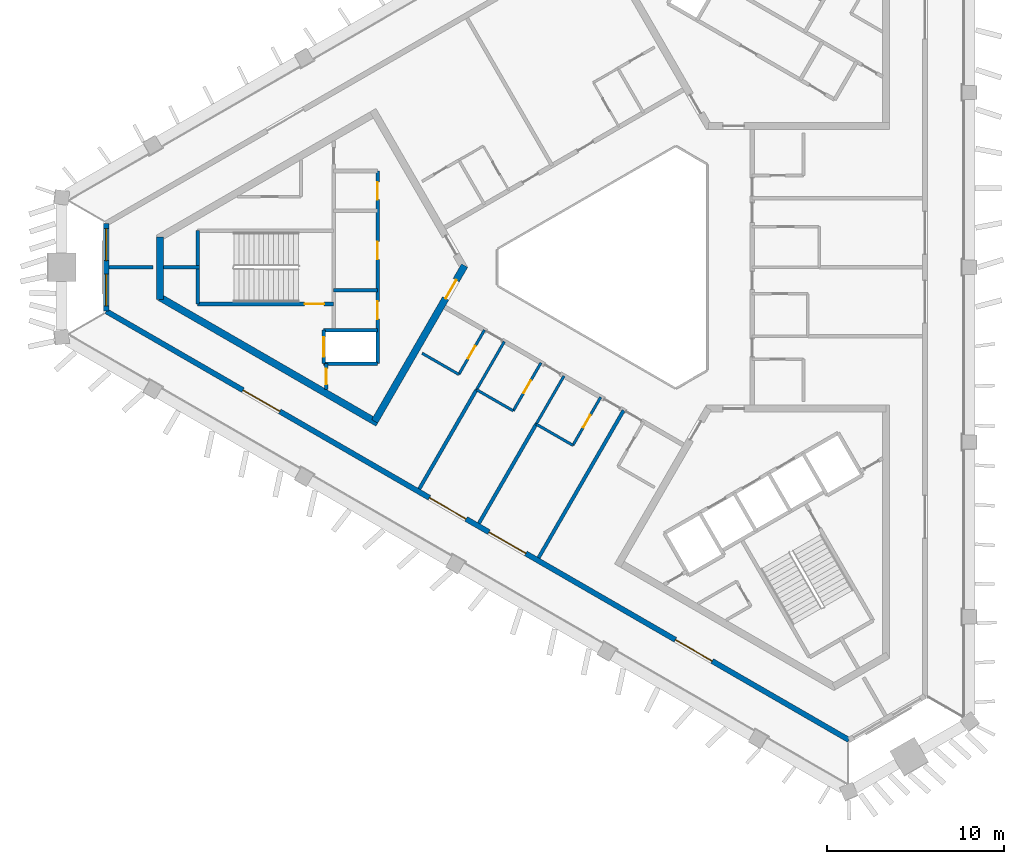
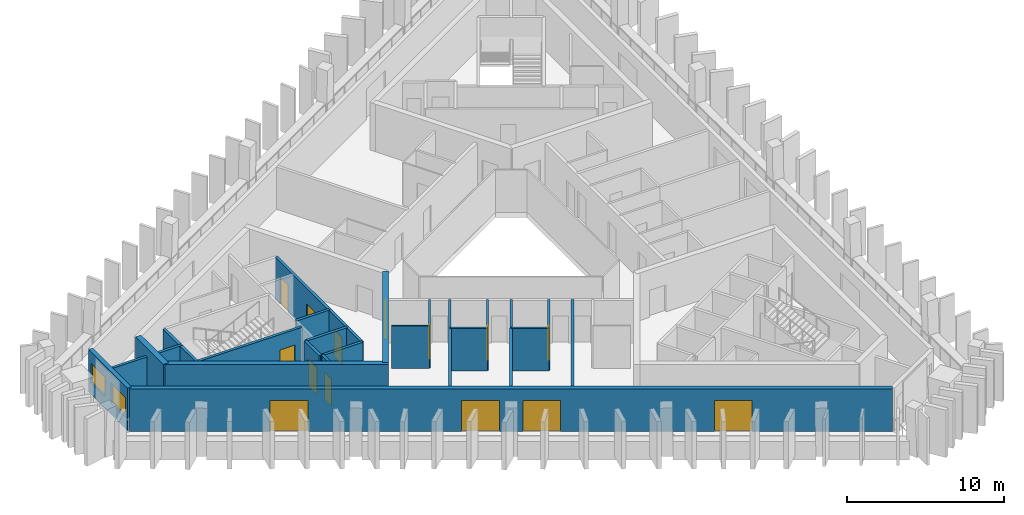
# One storey, part 2 of 9: 26 walls, 14 doors, 2 windows, 16 openings.
"""IFC4 building model written with IfcOpenShell, lengths in metres."""

from ifc_helpers import new_model, si_unit, direction, frame, frame_2d, origin, place, context, subcontext, project, spatial, rectangle, extrude, material, layer, layer_set, type_object, element, fill, save


model = new_model("IFC4")

# Units and contexts
model_context = context("Model", 3, precision=1e-05, world=origin(), true_north=direction((0.0, 1.0)))
body_context = subcontext(model_context, "Body", "Model", "MODEL_VIEW")
ifc_project = project(units=[si_unit("LENGTHUNIT", "METRE"), si_unit("AREAUNIT", "SQUARE_METRE"), si_unit("VOLUMEUNIT", "CUBIC_METRE"), si_unit("PLANEANGLEUNIT", "RADIAN"), si_unit("MASSUNIT", "GRAM", prefix="KILO")], contexts=[model_context])

# Site, building, storey
site_placement = place(None, origin())
site = spatial("IfcSite", under=ifc_project, at=site_placement, CompositionType="ELEMENT")
building_placement = place(site_placement, origin())
building = spatial("IfcBuilding", under=site, at=building_placement, Name="Jabali Bay Hotel Tower and Convention Centre", CompositionType="ELEMENT")
storey_placement = place(building_placement, frame((0.0, 0.0, 259.0)))
storey = spatial("IfcBuildingStorey", under=building, at=storey_placement, Name="L63", CompositionType="ELEMENT", Elevation=259.0)

# Wall
ifc_material_1 = material(Name="Concrete C40", Category="concrete")
ifc_layer_1 = layer(ifc_material_1, 0.199951171875)
ifc_layer_set_1 = layer_set([ifc_layer_1], Name="Concrete C40")
wall_type_1 = type_object("IfcWallType", Name="Core partition wall 200", PredefinedType="PARTITIONING", material=ifc_layer_set_1)
wall_1_placement = place(storey_placement, frame((50.820068359375, 80.0, 0.0), z_axis=(0.0, 0.0, 1.0), x_axis=(-1.0, 0.0, 0.0)))
element("IfcWall", 1, at=wall_1_placement, inside=storey, type_object=wall_type_1, Name="Core wall 0.4 L63", PredefinedType="PARTITIONING", context=body_context, shape_type="SweptSolid", body=[
    extrude(rectangle(XDim=2.023193359375, YDim=0.199951171875, at=frame_2d((1.01171875, 0.0))), origin(), (0.0, 0.0, 1.0), 3.300048828125),
])

# Wall, opening, door
wall_2_placement = place(storey_placement, frame((58.0, 74.550048828125, 0.0), z_axis=(0.0, 0.0, 1.0), x_axis=(0.0, -1.0, 0.0)))
wall_2 = element("IfcWall", 2, at=wall_2_placement, inside=storey, type_object=wall_type_1, Name="Core wall 0.11 L63", PredefinedType="PARTITIONING", context=body_context, shape_type="SweptSolid", body=[
    extrude(rectangle(XDim=1.455078125, YDim=0.199951171875, at=frame_2d((0.7275390625, 0.0))), origin(), (0.0, 0.0, 1.0), 3.300048828125),
])
opening_1_placement = place(wall_2_placement, frame((0.277587890625, 0.0, 0.0)))
opening_1 = element("IfcOpeningElement", 3, at=opening_1_placement, cuts=wall_2, Name="Opening D1381", PredefinedType="OPENING", context=body_context, shape_type="SweptSolid", body=[
    extrude(rectangle(XDim=0.89990234375, YDim=2.10009765625, at=frame_2d((0.449951171875, 1.050048828125))), frame((0.0, 0.1103515625, 0.0), z_axis=(0.0, -1.0, 0.0), x_axis=(1.0, 0.0, 0.0)), (0.0, 0.0, 1.0), 0.220947265625),
])
ifc_material_2 = material(Name="Fire-rated steel door", Category="steel")
door_type_1 = type_object("IfcDoorType", Name="Vestibule fire door 900 x 2100", OperationType="NOTDEFINED", PredefinedType="NOTDEFINED", material=ifc_material_2)
door_1_placement = place(opening_1_placement, origin())
door_1 = element("IfcDoor", 4, at=door_1_placement, inside=storey, type_object=door_type_1, Name="Vestibule fire door D1381", OperationType="SINGLE_SWING_LEFT", OverallHeight=2.10009765625, OverallWidth=0.89990234375, PredefinedType="NOTDEFINED", context=body_context, shape_type="SweptSolid", body=[
    extrude(rectangle(XDim=0.89990234375, YDim=2.10009765625, at=frame_2d((0.449951171875, 1.050048828125))), frame((0.0, 0.02490234375, 0.0), z_axis=(0.0, -1.0, 0.0), x_axis=(1.0, 0.0, 0.0)), (0.0, 0.0, 1.0), 0.050048828125),
])
fill(opening_1, door_1)

# Wall
ifc_layer_2 = layer(ifc_material_1, 0.199951171875)
ifc_layer_set_2 = layer_set([ifc_layer_2], Name="Concrete C40")
wall_type_2 = type_object("IfcWallType", Name="Core stair wall 200", PredefinedType="SOLIDWALL", material=ifc_layer_set_2)
wall_3_placement = place(storey_placement, frame((60.89990234375, 78.699951171875, 0.0), z_axis=(0.0, 0.0, 1.0), x_axis=(-1.0, 0.0, 0.0)))
element("IfcWall", 5, at=wall_3_placement, inside=storey, type_object=wall_type_2, Name="Core wall 0.5 L63", PredefinedType="SOLIDWALL", context=body_context, shape_type="SweptSolid", body=[
    extrude(rectangle(XDim=2.47998046875, YDim=0.199951171875, at=frame_2d((1.239990234375, 0.0))), origin(), (0.0, 0.0, 1.0), 3.300048828125),
])

# Wall, opening, door
wall_4_placement = place(storey_placement, frame((58.419921875, 77.925048828125, 0.0), z_axis=(0.0, 0.0, 1.0), x_axis=(-1.0, 0.0, 0.0)))
wall_4 = element("IfcWall", 6, at=wall_4_placement, inside=storey, type_object=wall_type_2, Name="Core wall 0.6 L63", PredefinedType="SOLIDWALL", context=body_context, shape_type="SweptSolid", body=[
    extrude(rectangle(XDim=7.699951171875, YDim=0.199951171875, at=frame_2d((3.85009765625, 0.0))), origin(), (0.0, 0.0, 1.0), 3.300048828125),
])
opening_2_placement = place(wall_4_placement, frame((0.550048828125, 0.0, 0.0)))
opening_2 = element("IfcOpeningElement", 7, at=opening_2_placement, cuts=wall_4, Name="Opening D1383", PredefinedType="OPENING", context=body_context, shape_type="SweptSolid", body=[
    extrude(rectangle(XDim=1.10009765625, YDim=2.10009765625, at=frame_2d((0.550048828125, 1.050048828125))), frame((0.0, 0.1103515625, 0.0), z_axis=(0.0, -1.0, 0.0), x_axis=(1.0, 0.0, 0.0)), (0.0, 0.0, 1.0), 0.220947265625),
])
door_type_2 = type_object("IfcDoorType", Name="Stair fire door 1100 x 2100", OperationType="NOTDEFINED", PredefinedType="NOTDEFINED", material=ifc_material_2)
door_2_placement = place(opening_2_placement, origin())
door_2 = element("IfcDoor", 8, at=door_2_placement, inside=storey, type_object=door_type_2, Name="Stair fire door D1383", OperationType="SINGLE_SWING_RIGHT", OverallHeight=2.10009765625, OverallWidth=1.10009765625, PredefinedType="NOTDEFINED", context=body_context, shape_type="SweptSolid", body=[
    extrude(rectangle(XDim=1.10009765625, YDim=2.10009765625, at=frame_2d((0.550048828125, 1.050048828125))), frame((0.0, 0.02490234375, 0.0), z_axis=(0.0, -1.0, 0.0), x_axis=(1.0, 0.0, 0.0)), (0.0, 0.0, 1.0), 0.050048828125),
])
fill(opening_2, door_2)

# Walls
for number, where, z_axis, x_axis, name in (
    (9, (60.89990234375, 76.449951171875, 0.0), (0.0, 0.0, 1.0), (-1.0, 0.0, 0.0), "Core wall 0.7 L63"),
    (10, (60.89990234375, 74.550048828125, 0.0), (0.0, 0.0, 1.0), (-1.0, 0.0, 0.0), "Core wall 0.8 L63"),
):
    element("IfcWall", number, at=place(storey_placement, frame(where, z_axis=z_axis, x_axis=x_axis)), inside=storey, type_object=wall_type_2, Name=name, PredefinedType="SOLIDWALL", context=body_context, shape_type="SweptSolid", body=[
        extrude(rectangle(XDim=3.0498046875, YDim=0.199951171875, at=frame_2d((1.52490234375, 0.0))), origin(), (0.0, 0.0, 1.0), 3.300048828125),
    ])

# Wall, openings, doors
wall_5_placement = place(storey_placement, frame((60.89990234375, 85.449951171875, 0.0), z_axis=(0.0, 0.0, 1.0), x_axis=(0.0, -1.0, 0.0)))
wall_5 = element("IfcWall", 11, at=wall_5_placement, inside=storey, type_object=wall_type_2, Name="Core wall 0.9 L63", PredefinedType="SOLIDWALL", context=body_context, shape_type="SweptSolid", body=[
    extrude(rectangle(XDim=10.89990234375, YDim=0.199951171875, at=frame_2d((5.449951171875, 0.0))), origin(), (0.0, 0.0, 1.0), 3.300048828125),
])
opening_3_placement = place(wall_5_placement, frame((0.625, 0.0, 0.0)))
opening_3 = element("IfcOpeningElement", 12, at=opening_3_placement, cuts=wall_5, Name="Opening D1378", PredefinedType="OPENING", context=body_context, shape_type="SweptSolid", body=[
    extrude(rectangle(XDim=1.0, YDim=2.10009765625, at=frame_2d((0.5, 1.050048828125))), frame((0.0, 0.1103515625, 0.0), z_axis=(0.0, -1.0, 0.0), x_axis=(1.0, 0.0, 0.0)), (0.0, 0.0, 1.0), 0.220947265625),
])
opening_4_placement = place(wall_5_placement, frame((4.0, 0.0, 0.0)))
opening_4 = element("IfcOpeningElement", 13, at=opening_4_placement, cuts=wall_5, Name="Opening D1379", PredefinedType="OPENING", context=body_context, shape_type="SweptSolid", body=[
    extrude(rectangle(XDim=1.0, YDim=2.10009765625, at=frame_2d((0.5, 1.050048828125))), frame((0.0, 0.1103515625, 0.0), z_axis=(0.0, -1.0, 0.0), x_axis=(1.0, 0.0, 0.0)), (0.0, 0.0, 1.0), 0.220947265625),
])
opening_5_placement = place(wall_5_placement, frame((7.375, 0.0, 0.0)))
opening_5 = element("IfcOpeningElement", 14, at=opening_5_placement, cuts=wall_5, Name="Opening D1380", PredefinedType="OPENING", context=body_context, shape_type="SweptSolid", body=[
    extrude(rectangle(XDim=1.0, YDim=2.10009765625, at=frame_2d((0.5, 1.050048828125))), frame((0.0, 0.1103515625, 0.0), z_axis=(0.0, -1.0, 0.0), x_axis=(1.0, 0.0, 0.0)), (0.0, 0.0, 1.0), 0.220947265625),
])
door_type_3 = type_object("IfcDoorType", Name="Core room door 1000 x 2100", OperationType="NOTDEFINED", PredefinedType="NOTDEFINED", material=ifc_material_2)
door_3_placement = place(opening_3_placement, origin())
door_3 = element("IfcDoor", 15, at=door_3_placement, inside=storey, type_object=door_type_3, Name="Core room door D1378", OperationType="SINGLE_SWING_RIGHT", OverallHeight=2.10009765625, OverallWidth=1.0, PredefinedType="NOTDEFINED", context=body_context, shape_type="SweptSolid", body=[
    extrude(rectangle(XDim=1.0, YDim=2.10009765625, at=frame_2d((0.5, 1.050048828125))), frame((0.0, 0.02490234375, 0.0), z_axis=(0.0, -1.0, 0.0), x_axis=(1.0, 0.0, 0.0)), (0.0, 0.0, 1.0), 0.050048828125),
])
fill(opening_3, door_3)
door_4_placement = place(opening_4_placement, origin())
door_4 = element("IfcDoor", 16, at=door_4_placement, inside=storey, type_object=door_type_3, Name="Core room door D1379", OperationType="SINGLE_SWING_RIGHT", OverallHeight=2.10009765625, OverallWidth=1.0, PredefinedType="NOTDEFINED", context=body_context, shape_type="SweptSolid", body=[
    extrude(rectangle(XDim=1.0, YDim=2.10009765625, at=frame_2d((0.5, 1.050048828125))), frame((0.0, 0.02490234375, 0.0), z_axis=(0.0, -1.0, 0.0), x_axis=(1.0, 0.0, 0.0)), (0.0, 0.0, 1.0), 0.050048828125),
])
fill(opening_4, door_4)
door_5_placement = place(opening_5_placement, origin())
door_5 = element("IfcDoor", 17, at=door_5_placement, inside=storey, type_object=door_type_3, Name="Core room door D1380", OperationType="SINGLE_SWING_RIGHT", OverallHeight=2.10009765625, OverallWidth=1.0, PredefinedType="NOTDEFINED", context=body_context, shape_type="SweptSolid", body=[
    extrude(rectangle(XDim=1.0, YDim=2.10009765625, at=frame_2d((0.5, 1.050048828125))), frame((0.0, 0.02490234375, 0.0), z_axis=(0.0, -1.0, 0.0), x_axis=(1.0, 0.0, 0.0)), (0.0, 0.0, 1.0), 0.050048828125),
])
fill(opening_5, door_5)

# Wall, opening, door
wall_6_placement = place(storey_placement, frame((57.85009765625, 76.449951171875, 0.0), z_axis=(0.0, 0.0, 1.0), x_axis=(0.0, -1.0, 0.0)))
wall_6 = element("IfcWall", 18, at=wall_6_placement, inside=storey, type_object=wall_type_2, Name="Core wall 0.12 L63", PredefinedType="SOLIDWALL", context=body_context, shape_type="SweptSolid", body=[
    extrude(rectangle(XDim=1.89990234375, YDim=0.199951171875, at=frame_2d((0.949951171875, 0.0))), origin(), (0.0, 0.0, 1.0), 3.300048828125),
])
opening_6_placement = place(wall_6_placement, frame((0.39990234375, 0.0, 0.0)))
opening_6 = element("IfcOpeningElement", 19, at=opening_6_placement, cuts=wall_6, Name="Opening LD5-L63", PredefinedType="OPENING", context=body_context, shape_type="SweptSolid", body=[
    extrude(rectangle(XDim=1.10009765625, YDim=2.10009765625, at=frame_2d((0.550048828125, 1.050048828125))), frame((0.0, 0.1103515625, 0.0), z_axis=(0.0, -1.0, 0.0), x_axis=(1.0, 0.0, 0.0)), (0.0, 0.0, 1.0), 0.220947265625),
])
ifc_material_3 = material(Name="Stainless steel landing door", Category="steel")
door_type_4 = type_object("IfcDoorType", Name="Landing door 1100 x 2100", OperationType="NOTDEFINED", PredefinedType="NOTDEFINED", material=ifc_material_3)
door_6_placement = place(opening_6_placement, origin())
door_6 = element("IfcDoor", 20, at=door_6_placement, inside=storey, type_object=door_type_4, Name="Landing doors LD5-L63", OperationType="SLIDING_TO_RIGHT", OverallHeight=2.10009765625, OverallWidth=1.10009765625, PredefinedType="NOTDEFINED", context=body_context, shape_type="SweptSolid", body=[
    extrude(rectangle(XDim=1.10009765625, YDim=2.10009765625, at=frame_2d((0.550048828125, 1.050048828125))), frame((0.0, 0.02490234375, 0.0), z_axis=(0.0, -1.0, 0.0), x_axis=(1.0, 0.0, 0.0)), (0.0, 0.0, 1.0), 0.050048828125),
])
fill(opening_6, door_6)

# Walls
wall_7_placement = place(storey_placement, frame((50.719970703125, 82.074951171875, 0.0), z_axis=(0.0, 0.0, 1.0), x_axis=(0.0, -1.0, 0.0)))
element("IfcWall", 21, at=wall_7_placement, inside=storey, type_object=wall_type_2, Name="Core wall 0.14 L63", PredefinedType="SOLIDWALL", context=body_context, shape_type="SweptSolid", body=[
    extrude(rectangle(XDim=4.14990234375, YDim=0.199951171875, at=frame_2d((2.074951171875, 0.0))), origin(), (0.0, 0.0, 1.0), 3.300048828125),
])
ifc_material_4 = material(Name="Concrete C60", Category="concrete")
ifc_layer_3 = layer(ifc_material_4, 0.39990234375)
ifc_layer_set_3 = layer_set([ifc_layer_3], Name="Concrete C60")
wall_type_3 = type_object("IfcWallType", Name="Core wall 400", PredefinedType="SHEAR", material=ifc_layer_set_3)
wall_8_placement = place(storey_placement, frame((48.596923828125, 81.707275390625, 0.0), z_axis=(0.0, 0.0, 1.0), x_axis=(0.0, -1.0, 0.0)))
element("IfcWall", 22, at=wall_8_placement, inside=storey, type_object=wall_type_3, Name="Core wall 1.3 L63", PredefinedType="SHEAR", context=body_context, shape_type="SweptSolid", body=[
    extrude(rectangle(XDim=3.530029296875, YDim=0.39990234375, at=frame_2d((1.76513671875, 0.0))), origin(), (0.0, 0.0, 1.0), 3.699951171875),
])
wall_9_placement = place(storey_placement, frame((48.596923828125, 78.292724609375, 0.0), z_axis=(0.0, 0.0, 1.0), x_axis=(0.866026024469, -0.499998924941, 0.0)))
element("IfcWall", 23, at=wall_9_placement, inside=storey, type_object=wall_type_3, Name="Core wall 1.4 L63", PredefinedType="SHEAR", context=body_context, shape_type="SweptSolid", body=[
    extrude(rectangle(XDim=14.2177734375, YDim=0.39990234375, at=frame_2d((7.10888671875, 0.0))), origin(), (0.0, 0.0, 1.0), 3.699951171875),
])

# Wall, opening, door
wall_10_placement = place(storey_placement, frame((60.73681640625, 71.283935546875, 0.0), z_axis=(0.0, 0.0, 1.0), x_axis=(0.50000547566, 0.866022242388, 0.0)))
wall_10 = element("IfcWall", 24, at=wall_10_placement, inside=storey, type_object=wall_type_3, Name="Core wall 1.5 L63", PredefinedType="SHEAR", context=body_context, shape_type="SweptSolid", body=[
    extrude(rectangle(XDim=10.18017578125, YDim=0.39990234375, at=frame_2d((5.090087890625, 0.0))), origin(), (0.0, 0.0, 1.0), 3.699951171875),
])
opening_7_placement = place(wall_10_placement, frame((8.030029296875, 0.0, 0.0)))
opening_7 = element("IfcOpeningElement", 25, at=opening_7_placement, cuts=wall_10, Name="Opening D1377", PredefinedType="OPENING", context=body_context, shape_type="SweptSolid", body=[
    extrude(rectangle(XDim=1.199951171875, YDim=2.10009765625, at=frame_2d((0.60009765625, 1.050048828125))), frame((0.0, 0.21044921875, 0.0), z_axis=(0.0, -1.0, 0.0), x_axis=(1.0, 0.0, 0.0)), (0.0, 0.0, 1.0), 0.4208984375),
])
door_type_5 = type_object("IfcDoorType", Name="Corridor end fire door 1200 x 2100", OperationType="NOTDEFINED", PredefinedType="NOTDEFINED", material=ifc_material_2)
door_7_placement = place(opening_7_placement, origin())
door_7 = element("IfcDoor", 26, at=door_7_placement, inside=storey, type_object=door_type_5, Name="Corridor end fire door D1377", OperationType="SINGLE_SWING_LEFT", OverallHeight=2.10009765625, OverallWidth=1.199951171875, PredefinedType="NOTDEFINED", context=body_context, shape_type="SweptSolid", body=[
    extrude(rectangle(XDim=1.199951171875, YDim=2.10009765625, at=frame_2d((0.60009765625, 1.050048828125))), frame((0.0, 0.02490234375, 0.0), z_axis=(0.0, -1.0, 0.0), x_axis=(1.0, 0.0, 0.0)), (0.0, 0.0, 1.0), 0.050048828125),
])
fill(opening_7, door_7)

# Wall, openings, windows
ifc_layer_4 = layer(ifc_material_1, 0.300048828125)
ifc_layer_set_4 = layer_set([ifc_layer_4], Name="Concrete C40")
wall_type_4 = type_object("IfcWallType", Name="External wall 300", PredefinedType="SOLIDWALL", material=ifc_layer_set_4)
wall_11_placement = place(storey_placement, frame((45.546142578125, 77.517578125, 0.0), z_axis=(0.0, 0.0, 1.0), x_axis=(0.0, 1.0, 0.0)))
wall_11 = element("IfcWall", 27, at=wall_11_placement, inside=storey, type_object=wall_type_4, Name="External wall west chamfer L63", PredefinedType="SOLIDWALL", context=body_context, shape_type="SweptSolid", body=[
    extrude(rectangle(XDim=4.96484375, YDim=0.300048828125, at=frame_2d((2.482421875, 0.0))), origin(), (0.0, 0.0, 1.0), 3.300048828125),
])
opening_8_placement = place(wall_11_placement, frame((2.8662109375, 0.0, 0.89990234375)))
opening_8 = element("IfcOpeningElement", 28, at=opening_8_placement, cuts=wall_11, Name="Opening W1", PredefinedType="OPENING", context=body_context, shape_type="SweptSolid", body=[
    extrude(rectangle(XDim=1.800048828125, YDim=1.5, at=frame_2d((0.89990234375, 0.75))), frame((0.0, 0.16064453125, 0.0), z_axis=(0.0, -1.0, 0.0), x_axis=(1.0, 0.0, 0.0)), (0.0, 0.0, 1.0), 0.321044921875),
])
opening_9_placement = place(wall_11_placement, frame((0.29833984375, 0.0, 0.89990234375)))
opening_9 = element("IfcOpeningElement", 29, at=opening_9_placement, cuts=wall_11, Name="Opening W1", PredefinedType="OPENING", context=body_context, shape_type="SweptSolid", body=[
    extrude(rectangle(XDim=1.800048828125, YDim=1.5, at=frame_2d((0.89990234375, 0.75))), frame((0.0, 0.16064453125, 0.0), z_axis=(0.0, -1.0, 0.0), x_axis=(1.0, 0.0, 0.0)), (0.0, 0.0, 1.0), 0.321044921875),
])
ifc_material_5 = material(Name="Glass", Category="glass")
window_type = type_object("IfcWindowType", Name="Window 1800 x 1500", PartitioningType="SINGLE_PANEL", PredefinedType="WINDOW", material=ifc_material_5)
window_1_placement = place(opening_8_placement, origin())
window_1 = element("IfcWindow", 30, at=window_1_placement, inside=storey, type_object=window_type, Name="Window 6306", OverallHeight=1.5, OverallWidth=1.800048828125, PartitioningType="SINGLE_PANEL", PredefinedType="WINDOW", context=body_context, shape_type="SweptSolid", body=[
    extrude(rectangle(XDim=1.800048828125, YDim=1.5, at=frame_2d((0.89990234375, 0.75))), frame((0.0, 0.030029296875, 0.0), z_axis=(0.0, -1.0, 0.0), x_axis=(1.0, 0.0, 0.0)), (0.0, 0.0, 1.0), 0.06005859375),
])
fill(opening_8, window_1)
window_2_placement = place(opening_9_placement, origin())
window_2 = element("IfcWindow", 31, at=window_2_placement, inside=storey, type_object=window_type, Name="Window 6307", OverallHeight=1.5, OverallWidth=1.800048828125, PartitioningType="SINGLE_PANEL", PredefinedType="WINDOW", context=body_context, shape_type="SweptSolid", body=[
    extrude(rectangle(XDim=1.800048828125, YDim=1.5, at=frame_2d((0.89990234375, 0.75))), frame((0.0, 0.030029296875, 0.0), z_axis=(0.0, -1.0, 0.0), x_axis=(1.0, 0.0, 0.0)), (0.0, 0.0, 1.0), 0.06005859375),
])
fill(opening_9, window_2)

# Wall, openings, doors
wall_12_placement = place(storey_placement, frame((87.5771484375, 53.2509765625, 0.0), z_axis=(0.0, 0.0, 1.0), x_axis=(-0.86602550179, 0.499999830249, 0.0)))
wall_12 = element("IfcWall", 32, at=wall_12_placement, inside=storey, type_object=wall_type_4, Name="External wall south-west face L63", PredefinedType="SOLIDWALL", context=body_context, shape_type="SweptSolid", body=[
    extrude(rectangle(XDim=48.533203125, YDim=0.300048828125, at=frame_2d((24.2666015625, 0.0))), origin(), (0.0, 0.0, 1.0), 3.300048828125),
])
opening_10_placement = place(wall_12_placement, frame((37.19189453125, 0.0, 0.0)))
opening_10 = element("IfcOpeningElement", 33, at=opening_10_placement, cuts=wall_12, Name="Opening SD1", PredefinedType="OPENING", context=body_context, shape_type="SweptSolid", body=[
    extrude(rectangle(XDim=2.39990234375, YDim=2.39990234375, at=frame_2d((1.199951171875, 1.199951171875))), frame((0.0, 0.16064453125, 0.0), z_axis=(0.0, -1.0, 0.0), x_axis=(1.0, 0.0, 0.0)), (0.0, 0.0, 1.0), 0.321044921875),
])
opening_11_placement = place(wall_12_placement, frame((8.94140625, 0.0, 0.0)))
opening_11 = element("IfcOpeningElement", 34, at=opening_11_placement, cuts=wall_12, Name="Opening SD1", PredefinedType="OPENING", context=body_context, shape_type="SweptSolid", body=[
    extrude(rectangle(XDim=2.39990234375, YDim=2.39990234375, at=frame_2d((1.199951171875, 1.199951171875))), frame((0.0, 0.16064453125, 0.0), z_axis=(0.0, -1.0, 0.0), x_axis=(1.0, 0.0, 0.0)), (0.0, 0.0, 1.0), 0.321044921875),
])
opening_12_placement = place(wall_12_placement, frame((25.015380859375, 0.0, 0.0)))
opening_12 = element("IfcOpeningElement", 35, at=opening_12_placement, cuts=wall_12, Name="Opening SD1", PredefinedType="OPENING", context=body_context, shape_type="SweptSolid", body=[
    extrude(rectangle(XDim=2.39990234375, YDim=2.39990234375, at=frame_2d((1.199951171875, 1.199951171875))), frame((0.0, 0.16064453125, 0.0), z_axis=(0.0, -1.0, 0.0), x_axis=(1.0, 0.0, 0.0)), (0.0, 0.0, 1.0), 0.321044921875),
])
opening_13_placement = place(wall_12_placement, frame((21.1181640625, 0.0, 0.0)))
opening_13 = element("IfcOpeningElement", 36, at=opening_13_placement, cuts=wall_12, Name="Opening SD1", PredefinedType="OPENING", context=body_context, shape_type="SweptSolid", body=[
    extrude(rectangle(XDim=2.39990234375, YDim=2.39990234375, at=frame_2d((1.199951171875, 1.199951171875))), frame((0.0, 0.16064453125, 0.0), z_axis=(0.0, -1.0, 0.0), x_axis=(1.0, 0.0, 0.0)), (0.0, 0.0, 1.0), 0.321044921875),
])
door_type_6 = type_object("IfcDoorType", Name="Loggia sliding door 2400 x 2400", OperationType="NOTDEFINED", PredefinedType="NOTDEFINED", material=ifc_material_5)
door_8_placement = place(opening_10_placement, origin())
door_8 = element("IfcDoor", 37, at=door_8_placement, inside=storey, type_object=door_type_6, Name="Loggia sliding door 6307", OperationType="SLIDING_TO_LEFT", OverallHeight=2.39990234375, OverallWidth=2.39990234375, PredefinedType="NOTDEFINED", context=body_context, shape_type="SweptSolid", body=[
    extrude(rectangle(XDim=2.39990234375, YDim=2.39990234375, at=frame_2d((1.199951171875, 1.199951171875))), frame((0.0, 0.02490234375, 0.0), z_axis=(0.0, -1.0, 0.0), x_axis=(1.0, 0.0, 0.0)), (0.0, 0.0, 1.0), 0.050048828125),
])
fill(opening_10, door_8)
door_9_placement = place(opening_11_placement, origin())
door_9 = element("IfcDoor", 38, at=door_9_placement, inside=storey, type_object=door_type_6, Name="Loggia sliding door 6310", OperationType="SLIDING_TO_RIGHT", OverallHeight=2.39990234375, OverallWidth=2.39990234375, PredefinedType="NOTDEFINED", context=body_context, shape_type="SweptSolid", body=[
    extrude(rectangle(XDim=2.39990234375, YDim=2.39990234375, at=frame_2d((1.199951171875, 1.199951171875))), frame((0.0, 0.02490234375, 0.0), z_axis=(0.0, -1.0, 0.0), x_axis=(1.0, 0.0, 0.0)), (0.0, 0.0, 1.0), 0.050048828125),
])
fill(opening_11, door_9)
door_10_placement = place(opening_12_placement, origin())
door_10 = element("IfcDoor", 39, at=door_10_placement, inside=storey, type_object=door_type_6, Name="Loggia sliding door 6308", OperationType="SLIDING_TO_LEFT", OverallHeight=2.39990234375, OverallWidth=2.39990234375, PredefinedType="NOTDEFINED", context=body_context, shape_type="SweptSolid", body=[
    extrude(rectangle(XDim=2.39990234375, YDim=2.39990234375, at=frame_2d((1.199951171875, 1.199951171875))), frame((0.0, 0.02490234375, 0.0), z_axis=(0.0, -1.0, 0.0), x_axis=(1.0, 0.0, 0.0)), (0.0, 0.0, 1.0), 0.050048828125),
])
fill(opening_12, door_10)
door_11_placement = place(opening_13_placement, origin())
door_11 = element("IfcDoor", 40, at=door_11_placement, inside=storey, type_object=door_type_6, Name="Loggia sliding door 6309", OperationType="SLIDING_TO_RIGHT", OverallHeight=2.39990234375, OverallWidth=2.39990234375, PredefinedType="NOTDEFINED", context=body_context, shape_type="SweptSolid", body=[
    extrude(rectangle(XDim=2.39990234375, YDim=2.39990234375, at=frame_2d((1.199951171875, 1.199951171875))), frame((0.0, 0.02490234375, 0.0), z_axis=(0.0, -1.0, 0.0), x_axis=(1.0, 0.0, 0.0)), (0.0, 0.0, 1.0), 0.050048828125),
])
fill(opening_13, door_11)

# Wall, opening, door
ifc_material_6 = material(Name="Plasterboard on steel stud", Category="steel")
ifc_layer_5 = layer(ifc_material_6, 0.14990234375)
ifc_layer_set_5 = layer_set([ifc_layer_5], Name="Plasterboard on steel stud")
wall_type_5 = type_object("IfcWallType", Name="Partition 150 wet", PredefinedType="PARTITIONING", material=ifc_layer_set_5)
wall_13_placement = place(storey_placement, frame((66.94921875, 76.44970703125, 0.0), z_axis=(0.0, 0.0, 1.0), x_axis=(-0.499987231761, -0.866032775405, 0.0)))
wall_13 = element("IfcWall", 41, at=wall_13_placement, inside=storey, type_object=wall_type_5, Name="Partition P03 L63 026", PredefinedType="PARTITIONING", context=body_context, shape_type="SweptSolid", body=[
    extrude(rectangle(XDim=2.89990234375, YDim=0.14990234375, at=frame_2d((1.449951171875, 0.0))), origin(), (0.0, 0.0, 1.0), 3.300048828125),
])
opening_14_placement = place(wall_13_placement, frame((1.050048828125, 0.0, 0.0)))
opening_14 = element("IfcOpeningElement", 42, at=opening_14_placement, cuts=wall_13, Name="Opening 6315", PredefinedType="OPENING", context=body_context, shape_type="SweptSolid", body=[
    extrude(rectangle(XDim=0.800048828125, YDim=2.10009765625, at=frame_2d((0.39990234375, 1.050048828125))), frame((0.0, 0.08544921875, 0.0), z_axis=(0.0, -1.0, 0.0), x_axis=(1.0, 0.0, 0.0)), (0.0, 0.0, 1.0), 0.1708984375),
])
ifc_material_7 = material(Name="Timber", Category="wood")
door_type_7 = type_object("IfcDoorType", Name="En-suite door 800 x 2100", OperationType="NOTDEFINED", PredefinedType="NOTDEFINED", material=ifc_material_7)
door_12_placement = place(opening_14_placement, origin())
door_12 = element("IfcDoor", 43, at=door_12_placement, inside=storey, type_object=door_type_7, Name="Door 6315", OperationType="SINGLE_SWING_RIGHT", OverallHeight=2.10009765625, OverallWidth=0.800048828125, PredefinedType="NOTDEFINED", context=body_context, shape_type="SweptSolid", body=[
    extrude(rectangle(XDim=0.800048828125, YDim=2.10009765625, at=frame_2d((0.39990234375, 1.050048828125))), frame((0.0, 0.02490234375, 0.0), z_axis=(0.0, -1.0, 0.0), x_axis=(1.0, 0.0, 0.0)), (0.0, 0.0, 1.0), 0.050048828125),
])
fill(opening_14, door_12)

# Walls
wall_14_placement = place(storey_placement, frame((65.499267578125, 73.938232421875, 0.0), z_axis=(0.0, 0.0, 1.0), x_axis=(-0.866004188936, 0.500036743394, 0.0)))
element("IfcWall", 44, at=wall_14_placement, inside=storey, type_object=wall_type_5, Name="Partition P03 L63 027", PredefinedType="PARTITIONING", context=body_context, shape_type="SweptSolid", body=[
    extrude(rectangle(XDim=2.398193359375, YDim=0.14990234375, at=frame_2d((1.19921875, 0.0))), origin(), (0.0, 0.0, 1.0), 3.300048828125),
])
wall_15_placement = place(storey_placement, frame((66.502197265625, 73.07568359375, 0.0), z_axis=(0.0, 0.0, 1.0), x_axis=(0.499995674689, 0.86602790099, 0.0)))
element("IfcWall", 45, at=wall_15_placement, inside=storey, type_object=wall_type_5, Name="Partition P03 L63 029", PredefinedType="PARTITIONING", context=body_context, shape_type="SweptSolid", body=[
    extrude(rectangle(XDim=3.1455078125, YDim=0.14990234375, at=frame_2d((1.57275390625, 0.0))), origin(), (0.0, 0.0, 1.0), 3.300048828125),
])

# Wall, opening, door
wall_16_placement = place(storey_placement, frame((70.15087890625, 74.601318359375, 0.0), z_axis=(0.0, 0.0, 1.0), x_axis=(-0.499995674689, -0.86602790099, 0.0)))
wall_16 = element("IfcWall", 46, at=wall_16_placement, inside=storey, type_object=wall_type_5, Name="Partition P03 L63 030", PredefinedType="PARTITIONING", context=body_context, shape_type="SweptSolid", body=[
    extrude(rectangle(XDim=3.1455078125, YDim=0.14990234375, at=frame_2d((1.57275390625, 0.0))), origin(), (0.0, 0.0, 1.0), 3.300048828125),
])
opening_15_placement = place(wall_16_placement, frame((1.173095703125, 0.0, 0.0)))
opening_15 = element("IfcOpeningElement", 47, at=opening_15_placement, cuts=wall_16, Name="Opening 6317", PredefinedType="OPENING", context=body_context, shape_type="SweptSolid", body=[
    extrude(rectangle(XDim=0.800048828125, YDim=2.10009765625, at=frame_2d((0.39990234375, 1.050048828125))), frame((0.0, 0.08544921875, 0.0), z_axis=(0.0, -1.0, 0.0), x_axis=(1.0, 0.0, 0.0)), (0.0, 0.0, 1.0), 0.1708984375),
])
door_13_placement = place(opening_15_placement, origin())
door_13 = element("IfcDoor", 48, at=door_13_placement, inside=storey, type_object=door_type_7, Name="Door 6317", OperationType="SINGLE_SWING_RIGHT", OverallHeight=2.10009765625, OverallWidth=0.800048828125, PredefinedType="NOTDEFINED", context=body_context, shape_type="SweptSolid", body=[
    extrude(rectangle(XDim=0.800048828125, YDim=2.10009765625, at=frame_2d((0.39990234375, 1.050048828125))), frame((0.0, 0.02490234375, 0.0), z_axis=(0.0, -1.0, 0.0), x_axis=(1.0, 0.0, 0.0)), (0.0, 0.0, 1.0), 0.050048828125),
])
fill(opening_15, door_13)

# Walls
wall_17_placement = place(storey_placement, frame((68.578125, 71.877197265625, 0.0), z_axis=(0.0, 0.0, 1.0), x_axis=(-0.866034636017, 0.499984008963, 0.0)))
element("IfcWall", 49, at=wall_17_placement, inside=storey, type_object=wall_type_5, Name="Partition P03 L63 031", PredefinedType="PARTITIONING", context=body_context, shape_type="SweptSolid", body=[
    extrude(rectangle(XDim=2.39697265625, YDim=0.14990234375, at=frame_2d((1.198486328125, 0.0))), origin(), (0.0, 0.0, 1.0), 3.300048828125),
])
wall_18_placement = place(storey_placement, frame((69.877197265625, 71.127197265625, 0.0), z_axis=(0.0, 0.0, 1.0), x_axis=(0.499995674689, 0.86602790099, 0.0)))
element("IfcWall", 50, at=wall_18_placement, inside=storey, type_object=wall_type_5, Name="Partition P03 L63 033", PredefinedType="PARTITIONING", context=body_context, shape_type="SweptSolid", body=[
    extrude(rectangle(XDim=3.1455078125, YDim=0.14990234375, at=frame_2d((1.57275390625, 0.0))), origin(), (0.0, 0.0, 1.0), 3.300048828125),
])

# Wall, opening, door
wall_19_placement = place(storey_placement, frame((73.52587890625, 72.652587890625, 0.0), z_axis=(0.0, 0.0, 1.0), x_axis=(-0.500029284648, -0.866008495625, 0.0)))
wall_19 = element("IfcWall", 51, at=wall_19_placement, inside=storey, type_object=wall_type_5, Name="Partition P03 L63 034", PredefinedType="PARTITIONING", context=body_context, shape_type="SweptSolid", body=[
    extrude(rectangle(XDim=3.145263671875, YDim=0.14990234375, at=frame_2d((1.57275390625, 0.0))), origin(), (0.0, 0.0, 1.0), 3.300048828125),
])
opening_16_placement = place(wall_19_placement, frame((1.173095703125, 0.0, 0.0)))
opening_16 = element("IfcOpeningElement", 52, at=opening_16_placement, cuts=wall_19, Name="Opening 6319", PredefinedType="OPENING", context=body_context, shape_type="SweptSolid", body=[
    extrude(rectangle(XDim=0.800048828125, YDim=2.10009765625, at=frame_2d((0.39990234375, 1.050048828125))), frame((0.0, 0.08544921875, 0.0), z_axis=(0.0, -1.0, 0.0), x_axis=(1.0, 0.0, 0.0)), (0.0, 0.0, 1.0), 0.1708984375),
])
door_14_placement = place(opening_16_placement, origin())
door_14 = element("IfcDoor", 53, at=door_14_placement, inside=storey, type_object=door_type_7, Name="Door 6319", OperationType="SINGLE_SWING_RIGHT", OverallHeight=2.10009765625, OverallWidth=0.800048828125, PredefinedType="NOTDEFINED", context=body_context, shape_type="SweptSolid", body=[
    extrude(rectangle(XDim=0.800048828125, YDim=2.10009765625, at=frame_2d((0.39990234375, 1.050048828125))), frame((0.0, 0.02490234375, 0.0), z_axis=(0.0, -1.0, 0.0), x_axis=(1.0, 0.0, 0.0)), (0.0, 0.0, 1.0), 0.050048828125),
])
fill(opening_16, door_14)

# Walls
wall_20_placement = place(storey_placement, frame((71.953125, 69.9287109375, 0.0), z_axis=(0.0, 0.0, 1.0), x_axis=(-0.866034636017, 0.499984008963, 0.0)))
element("IfcWall", 54, at=wall_20_placement, inside=storey, type_object=wall_type_5, Name="Partition P03 L63 035", PredefinedType="PARTITIONING", context=body_context, shape_type="SweptSolid", body=[
    extrude(rectangle(XDim=2.39697265625, YDim=0.14990234375, at=frame_2d((1.198486328125, 0.0))), origin(), (0.0, 0.0, 1.0), 3.300048828125),
])
ifc_layer_6 = layer(ifc_material_6, 0.199951171875)
ifc_layer_set_6 = layer_set([ifc_layer_6], Name="Plasterboard on steel stud")
wall_type_6 = type_object("IfcWallType", Name="Partition 200 party", PredefinedType="PARTITIONING", material=ifc_layer_set_6)
wall_21_placement = place(storey_placement, frame((45.695068359375, 80.0009765625, 0.0), z_axis=(0.0, 0.0, 1.0), x_axis=(1.0, 0.0, 0.0)))
element("IfcWall", 55, at=wall_21_placement, inside=storey, type_object=wall_type_6, Name="Partition P01 L63 024", PredefinedType="PARTITIONING", context=body_context, shape_type="SweptSolid", body=[
    extrude(rectangle(XDim=2.5029296875, YDim=0.199951171875, at=frame_2d((1.25146484375, 0.0))), origin(), (0.0, 0.0, 1.0), 3.300048828125),
])
for number, where, z_axis, x_axis, name in (
    (56, (63.26123046875, 67.4619140625, 0.0), (0.0, 0.0, 1.0), (0.499983274767, 0.866035059887, 0.0), "Partition P01 L63 028"),
    (57, (66.63623046875, 65.513427734375, 0.0), (0.0, 0.0, 1.0), (0.499983274767, 0.866035059887, 0.0), "Partition P01 L63 032"),
):
    element("IfcWall", number, at=place(storey_placement, frame(where, z_axis=z_axis, x_axis=x_axis)), inside=storey, type_object=wall_type_6, Name=name, PredefinedType="PARTITIONING", context=body_context, shape_type="SweptSolid", body=[
        extrude(rectangle(XDim=6.482177734375, YDim=0.199951171875, at=frame_2d((3.2412109375, 0.0))), origin(), (0.0, 0.0, 1.0), 3.300048828125),
    ])
wall_22_placement = place(storey_placement, frame((70.01123046875, 63.564697265625, 0.0), z_axis=(0.0, 0.0, 1.0), x_axis=(0.499987326052, 0.866032720968, 0.0)))
element("IfcWall", 58, at=wall_22_placement, inside=storey, type_object=wall_type_6, Name="Partition P01 L63 036", PredefinedType="PARTITIONING", context=body_context, shape_type="SweptSolid", body=[
    extrude(rectangle(XDim=9.627685546875, YDim=0.199951171875, at=frame_2d((4.81396484375, 0.0))), origin(), (0.0, 0.0, 1.0), 3.300048828125),
])

save(model, "model.ifc")
